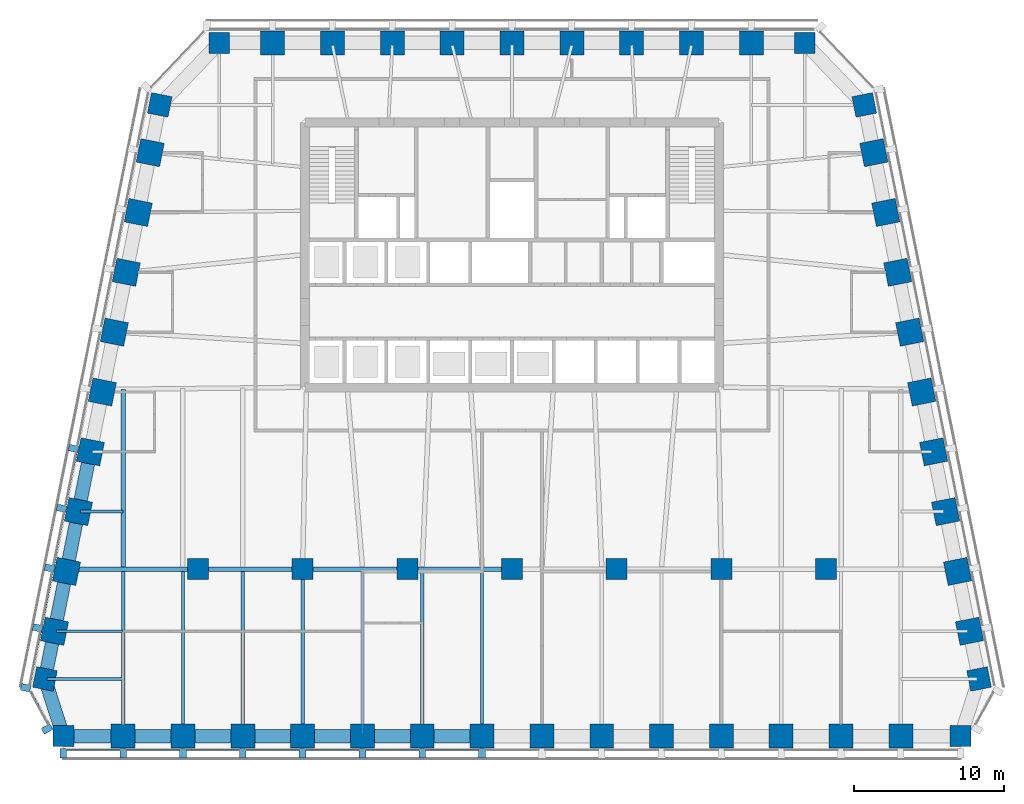
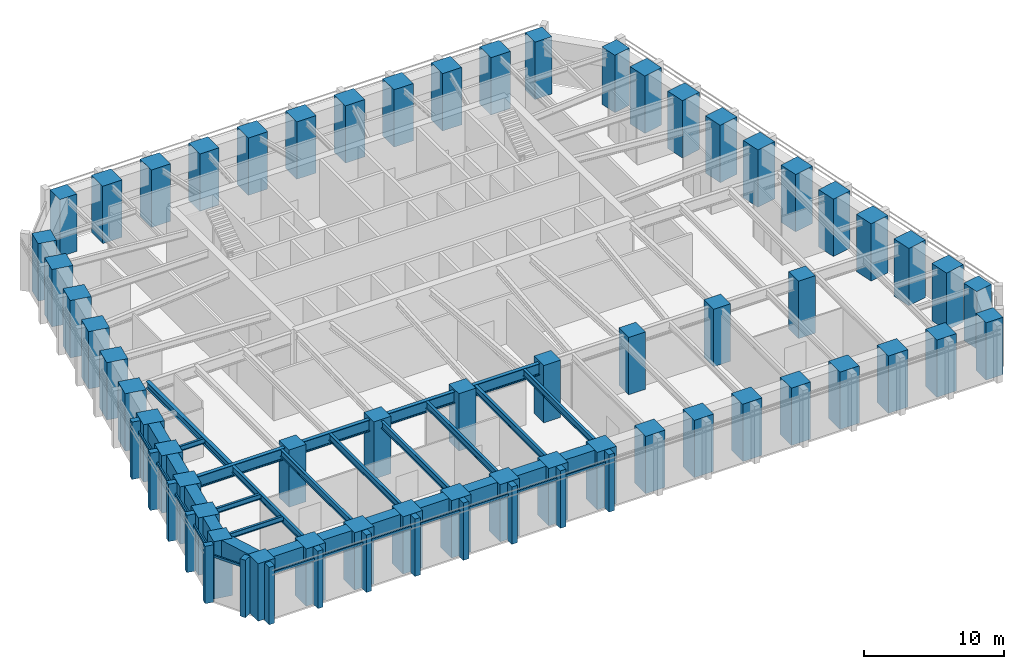
# One storey, part 1 of 11: 56 columns, 27 beams, 26 members, 3 elements without a shape of their own.
"""IFC4 building model written with IfcOpenShell, lengths in metres."""

import ifcopenshell
import ifcopenshell.guid

model = None  # the IFC model being written
_history = None  # IfcOwnerHistory: only IFC2X3 demands one
_inside = {}  # id of a spatial element -> (the spatial element, [elements in it])
_under = {}  # id of a project, library or spatial element -> (it, [spatial elements below it])
_declared = {}  # id of a project -> (the project, [libraries it declares])
_typed = {}  # id of a type object -> (the type object, [elements of that type])
_made_of = {}  # id of a material, layer set ... -> (it, [elements and type objects made of it])


def new_model(schema):
    """Start an empty IFC model of exactly this schema.

    Asked for "IFC4X3", IfcOpenShell would pick the latest addendum, in which some entities
    have other attributes; the version numbers below select the first issue.
    IFC2X3 requires an IfcOwnerHistory on every rooted entity: one is made here for all.
    """
    global model, _history
    if schema == "IFC4X3":
        model = ifcopenshell.file(schema_version=(4, 3, 0, 0))
    else:
        model = ifcopenshell.file(schema=schema)
    _inside.clear()
    _under.clear()
    _declared.clear()
    _typed.clear()
    _made_of.clear()
    _history = None
    if model.schema == "IFC2X3":
        org = make("IfcOrganization", Name="unknown")
        user = make(
            "IfcPersonAndOrganization",
            ThePerson=make("IfcPerson", FamilyName="unknown"),
            TheOrganization=org,
        )
        app = make(
            "IfcApplication",
            ApplicationDeveloper=org,
            Version="unknown",
            ApplicationFullName="unknown",
            ApplicationIdentifier="unknown",
        )
        _history = make(
            "IfcOwnerHistory",
            OwningUser=user,
            OwningApplication=app,
            ChangeAction="ADDED",
            CreationDate=0,
        )
    return model


def make(cls, **values):
    """One entity of the class cls with the attributes given. An attribute that is None is left unset."""
    return model.create_entity(
        cls, **{name: value for name, value in values.items() if value is not None}
    )


def rooted(cls, **values):
    """An entity with a GlobalId (a new one), such as an element, a storey or a relation."""
    return make(cls, GlobalId=ifcopenshell.guid.new(), OwnerHistory=_history, **values)


def si_unit(unit_type, name, prefix=None):
    """IfcSIUnit, for example si_unit("LENGTHUNIT", "METRE", prefix="MILLI")."""
    return make("IfcSIUnit", UnitType=unit_type, Prefix=prefix, Name=name)


def assignment(units):
    """IfcUnitAssignment: the units of a project."""
    return None if units is None else make("IfcUnitAssignment", Units=units)


def point(xyz):
    """IfcCartesianPoint."""
    return None if xyz is None else make("IfcCartesianPoint", Coordinates=xyz)


def direction(xyz):
    """IfcDirection."""
    return None if xyz is None else make("IfcDirection", DirectionRatios=xyz)


def frame(location, z_axis=None, x_axis=None):
    """IfcAxis2Placement3D, a coordinate frame: its origin and axes. An axis left out is left unset."""
    return make(
        "IfcAxis2Placement3D",
        Location=point(location),
        Axis=direction(z_axis),
        RefDirection=direction(x_axis),
    )


def frame_2d(location, x_axis=None):
    """IfcAxis2Placement2D, a coordinate frame in the plane: its origin and x axis."""
    return make(
        "IfcAxis2Placement2D", Location=point(location), RefDirection=direction(x_axis)
    )


def origin():
    """The frame at (0, 0, 0) with its axes left unset."""
    return frame((0.0, 0.0, 0.0))


def origin_2d():
    """The frame at (0, 0) in the plane with its x axis left unset."""
    return frame_2d((0.0, 0.0))


def place(relative_to, where):
    """IfcLocalPlacement: puts the frame where relative to a parent placement (None: the world)."""
    return make(
        "IfcLocalPlacement", PlacementRelTo=relative_to, RelativePlacement=where
    )


def context(
    kind, dimensions, precision=None, world=None, true_north=None, identifier=None
):
    """IfcGeometricRepresentationContext, for example the 3D "Model" context."""
    return make(
        "IfcGeometricRepresentationContext",
        ContextIdentifier=identifier,
        ContextType=kind,
        CoordinateSpaceDimension=dimensions,
        Precision=precision,
        WorldCoordinateSystem=world,
        TrueNorth=true_north,
    )


def subcontext(parent, identifier, kind, view, scale=None):
    """IfcGeometricRepresentationSubContext, for example "Body" below "Model"."""
    return make(
        "IfcGeometricRepresentationSubContext",
        ContextIdentifier=identifier,
        ContextType=kind,
        ParentContext=parent,
        TargetScale=scale,
        TargetView=view,
    )


def project(units=None, contexts=None):
    """IfcProject with its units and contexts."""
    return rooted(
        "IfcProject",
        Name="project",
        RepresentationContexts=contexts,
        UnitsInContext=assignment(units),
    )


def spatial(cls, under=None, at=None, **own):
    """A site, building, storey or space (cls), placed at a placement, below another one or the project."""
    s = rooted(cls, ObjectPlacement=at, **own)
    if under is not None:
        _under.setdefault(under.id(), (under, []))[1].append(s)
    return s


def profile(cls, at=None, kind="AREA", **sizes):
    """A parametric profile (cls). Its sizes go by their IFC names, for example OverallWidth=200.0."""
    return make(cls, ProfileType=kind, Position=at, **sizes)


def rectangle(**sizes):
    """IfcRectangleProfileDef."""
    return profile("IfcRectangleProfileDef", **sizes)


def i_section(**sizes):
    """IfcIShapeProfileDef."""
    return profile("IfcIShapeProfileDef", **sizes)


def extrude(swept, where, along, depth):
    """IfcExtrudedAreaSolid: the profile swept, set in the frame where, extruded along a direction by depth."""
    return make(
        "IfcExtrudedAreaSolid",
        SweptArea=swept,
        Position=where,
        ExtrudedDirection=direction(along),
        Depth=depth,
    )


def shape(context_of_items, identifier, shape_type, items):
    """IfcShapeRepresentation: the items that make up one representation, for example the "Body"."""
    return make(
        "IfcShapeRepresentation",
        ContextOfItems=context_of_items,
        RepresentationIdentifier=identifier,
        RepresentationType=shape_type,
        Items=items,
    )


def material(Name=None, Category=None):
    """IfcMaterial."""
    return make("IfcMaterial", Name=Name, Category=Category)


def material_profile(
    of_material, cross_section, Name=None, Category=None, Priority=None
):
    """IfcMaterialProfile: a cross section and its material."""
    return make(
        "IfcMaterialProfile",
        Name=Name,
        Material=of_material,
        Profile=cross_section,
        Priority=Priority,
        Category=Category,
    )


def profile_set(profiles, Name=None, composite=None):
    """IfcMaterialProfileSet."""
    return make(
        "IfcMaterialProfileSet",
        Name=Name,
        MaterialProfiles=profiles,
        CompositeProfile=composite,
    )


def made_of(thing, what):
    """Note that an element or type object is made of a material, layer set ...; save() writes the relation."""
    if what is not None:
        _made_of.setdefault(what.id(), (what, []))[1].append(thing)
    return thing


def type_object(cls, material=None, **own):
    """A type object (cls), such as IfcWallType, which elements share."""
    return made_of(rooted(cls, **own), material)


def element(
    cls,
    number,
    at=None,
    inside=None,
    cuts=None,
    type_object=None,
    material=None,
    context=None,
    identifier="Body",
    shape_type=None,
    held_by="IfcProductDefinitionShape",
    body=None,
    shapes=None,
    **own,
):
    """One element of the class cls, such as IfcWall. Its Tag is "e" and its number.

    at: its placement. inside: the storey or other place that contains it. cuts: it is an
    opening in that element (IfcRelVoidsElement). A single representation is given by context,
    identifier, shape_type and body (its items); several are given by shapes. held_by: the class
    of the entity that holds the representations. save() writes the other relations.
    """
    e = rooted(cls, Tag="e%d" % number, ObjectPlacement=at, **own)
    if body is not None:
        shapes = [shape(context, identifier, shape_type, body)]
    if shapes is not None:
        e.Representation = make(held_by, Representations=shapes)
    if inside is not None:
        _inside.setdefault(inside.id(), (inside, []))[1].append(e)
    if cuts is not None:
        rooted(
            "IfcRelVoidsElement", RelatingBuildingElement=cuts, RelatedOpeningElement=e
        )
    if type_object is not None:
        _typed.setdefault(type_object.id(), (type_object, []))[1].append(e)
    return made_of(e, material)


def aggregate(whole, parts):
    """IfcRelAggregates: a whole, such as a stair, and the parts it consists of."""
    return rooted("IfcRelAggregates", RelatingObject=whole, RelatedObjects=parts)


def save(model, path):
    """Write the relations noted so far, then the file.

    IfcRelAggregates (storeys below a building ...), IfcRelContainedInSpatialStructure (elements
    in a storey), IfcRelDefinesByType, IfcRelAssociatesMaterial and IfcRelDeclares: one each for
    every whole, place, type object, material and project.
    """
    for whole, parts in _under.values():
        aggregate(whole, parts)
    for where, things in _inside.values():
        rooted(
            "IfcRelContainedInSpatialStructure",
            RelatedElements=things,
            RelatingStructure=where,
        )
    for kind, things in _typed.values():
        rooted("IfcRelDefinesByType", RelatedObjects=things, RelatingType=kind)
    for what, things in _made_of.values():
        rooted("IfcRelAssociatesMaterial", RelatedObjects=things, RelatingMaterial=what)
    for by, libraries in _declared.values():
        rooted("IfcRelDeclares", RelatingContext=by, RelatedDefinitions=libraries)
    model.write(path)


model = new_model("IFC4")

# Units and contexts
model_context = context("Model", 3, precision=1e-05, world=origin(), true_north=direction((0.0, 1.0)))
body_context = subcontext(model_context, "Body", "Model", "MODEL_VIEW")
ifc_project = project(units=[si_unit("LENGTHUNIT", "METRE"), si_unit("AREAUNIT", "SQUARE_METRE"), si_unit("VOLUMEUNIT", "CUBIC_METRE"), si_unit("PLANEANGLEUNIT", "RADIAN"), si_unit("MASSUNIT", "GRAM", prefix="KILO")], contexts=[model_context])

# Site, building, storey
site_placement = place(None, origin())
site = spatial("IfcSite", under=ifc_project, at=site_placement, CompositionType="ELEMENT")
building_placement = place(site_placement, origin())
building = spatial("IfcBuilding", under=site, at=building_placement, Name="Isbrekke Arena Tower", CompositionType="ELEMENT")
storey_placement = place(building_placement, frame((0.0, 0.0, 173.0)))
storey = spatial("IfcBuildingStorey", under=building, at=storey_placement, Name="L39", CompositionType="ELEMENT", Elevation=173.0)

# Columns
ifc_material_1 = material(Name="Concrete B65 (C65/80)", Category="concrete")
ifc_material_profile_1 = material_profile(ifc_material_1, rectangle(XDim=1.39990234375, YDim=1.39990234375, at=origin_2d()), Name="RC 1400x1400")
ifc_profile_set_1 = profile_set([ifc_material_profile_1], Name="Concrete B65 (C65/80)")
column_type_1 = type_object("IfcColumnType", Name="C13 RC 1400 x 1400", PredefinedType="COLUMN", material=ifc_profile_set_1)
for number, where, z_axis, x_axis, name in (
    (1, (-21.0, -6.0, 0.0), (0.0, 0.0, 1.0), (1.0, 0.0, 0.0), "C13 I01"),
    (2, (-14.0, -6.0, 0.0), (0.0, 0.0, 1.0), (1.0, 0.0, 0.0), "C13 I02"),
    (3, (-7.0, -6.0, 0.0), (0.0, 0.0, 1.0), (1.0, 0.0, 0.0), "C13 I03"),
    (4, (0.0, -6.0, 0.0), (0.0, 0.0, 1.0), (1.0, 0.0, 0.0), "C13 I04"),
    (5, (7.0, -6.0, 0.0), (0.0, 0.0, 1.0), (1.0, 0.0, 0.0), "C13 I05"),
    (6, (14.0, -6.0, 0.0), (0.0, 0.0, 1.0), (1.0, 0.0, 0.0), "C13 I06"),
    (7, (21.0, -6.0, 0.0), (0.0, 0.0, 1.0), (1.0, 0.0, 0.0), "C13 I07"),
):
    element("IfcColumn", number, at=place(storey_placement, frame(where, z_axis=z_axis, x_axis=x_axis)), inside=storey, type_object=column_type_1, Name=name, PredefinedType="COLUMN", context=body_context, shape_type="SweptSolid", body=[
        extrude(rectangle(XDim=1.39990234375, YDim=1.39990234375, at=origin_2d()), origin(), (0.0, 0.0, 1.0), 5.0),
    ])
ifc_material_2 = material(Name="Concrete B65 (C65/80)", Category="concrete")
ifc_material_profile_2 = material_profile(ifc_material_2, rectangle(XDim=1.60009765625, YDim=1.60009765625, at=origin_2d()), Name="RC 1600x1600")
ifc_profile_set_2 = profile_set([ifc_material_profile_2], Name="Concrete B65 (C65/80)")
column_type_2 = type_object("IfcColumnType", Name="C4 RC 1600 x 1600", PredefinedType="COLUMN", material=ifc_profile_set_2)
for number, where, z_axis, x_axis, name in (
    (8, (-26.0, -17.175048828125, 0.0), (0.0, 0.0, 1.0), (1.0, 0.0, 0.0), "C4 S02"),
    (9, (-22.0, -17.175048828125, 0.0), (0.0, 0.0, 1.0), (1.0, 0.0, 0.0), "C4 S03"),
    (10, (-18.0, -17.175048828125, 0.0), (0.0, 0.0, 1.0), (1.0, 0.0, 0.0), "C4 S04"),
    (11, (-14.0, -17.175048828125, 0.0), (0.0, 0.0, 1.0), (1.0, 0.0, 0.0), "C4 S05"),
    (12, (-10.0, -17.175048828125, 0.0), (0.0, 0.0, 1.0), (1.0, 0.0, 0.0), "C4 S06"),
    (13, (-6.0, -17.175048828125, 0.0), (0.0, 0.0, 1.0), (1.0, 0.0, 0.0), "C4 S07"),
    (14, (-2.0, -17.175048828125, 0.0), (0.0, 0.0, 1.0), (1.0, 0.0, 0.0), "C4 S08"),
    (15, (2.0, -17.175048828125, 0.0), (0.0, 0.0, 1.0), (1.0, 0.0, 0.0), "C4 S09"),
    (16, (6.0, -17.175048828125, 0.0), (0.0, 0.0, 1.0), (1.0, 0.0, 0.0), "C4 S10"),
    (17, (10.0, -17.175048828125, 0.0), (0.0, 0.0, 1.0), (1.0, 0.0, 0.0), "C4 S11"),
    (18, (14.0, -17.175048828125, 0.0), (0.0, 0.0, 1.0), (1.0, 0.0, 0.0), "C4 S12"),
    (19, (18.0, -17.175048828125, 0.0), (0.0, 0.0, 1.0), (1.0, 0.0, 0.0), "C4 S13"),
    (20, (22.0, -17.175048828125, 0.0), (0.0, 0.0, 1.0), (1.0, 0.0, 0.0), "C4 S14"),
    (21, (26.0, -17.175048828125, 0.0), (0.0, 0.0, 1.0), (1.0, 0.0, 0.0), "C4 S15"),
    (22, (30.591064453125, -10.161865234375, 0.0), (0.0, 0.0, 1.0), (-0.196116135138, 0.980580675691, 0.0), "C4 E02"),
    (23, (29.791015625, -6.161865234375, 0.0), (0.0, 0.0, 1.0), (-0.196116135138, 0.980580675691, 0.0), "C4 E03"),
    (24, (28.990966796875, -2.161865234375, 0.0), (0.0, 0.0, 1.0), (-0.196116135138, 0.980580675691, 0.0), "C4 E04"),
    (25, (28.19091796875, 1.838134765625, 0.0), (0.0, 0.0, 1.0), (-0.196116135138, 0.980580675691, 0.0), "C4 E05"),
    (26, (27.39111328125, 5.838134765625, 0.0), (0.0, 0.0, 1.0), (-0.196116135138, 0.980580675691, 0.0), "C4 E06"),
    (27, (26.591064453125, 9.838134765625, 0.0), (0.0, 0.0, 1.0), (-0.196116135138, 0.980580675691, 0.0), "C4 E07"),
    (28, (25.791015625, 13.838134765625, 0.0), (0.0, 0.0, 1.0), (-0.196116135138, 0.980580675691, 0.0), "C4 E08"),
    (29, (24.990966796875, 17.838134765625, 0.0), (0.0, 0.0, 1.0), (-0.196116135138, 0.980580675691, 0.0), "C4 E09"),
    (30, (24.19091796875, 21.838134765625, 0.0), (0.0, 0.0, 1.0), (-0.196116135138, 0.980580675691, 0.0), "C4 E10"),
    (31, (16.0, 29.175048828125, 0.0), (0.0, 0.0, 1.0), (-1.0, 0.0, 0.0), "C4 N02"),
    (32, (12.0, 29.175048828125, 0.0), (0.0, 0.0, 1.0), (-1.0, 0.0, 0.0), "C4 N03"),
    (33, (8.0, 29.175048828125, 0.0), (0.0, 0.0, 1.0), (-1.0, 0.0, 0.0), "C4 N04"),
    (34, (4.0, 29.175048828125, 0.0), (0.0, 0.0, 1.0), (-1.0, 0.0, 0.0), "C4 N05"),
    (35, (0.0, 29.175048828125, 0.0), (0.0, 0.0, 1.0), (-1.0, 0.0, 0.0), "C4 N06"),
    (36, (-4.0, 29.175048828125, 0.0), (0.0, 0.0, 1.0), (-1.0, 0.0, 0.0), "C4 N07"),
    (37, (-8.0, 29.175048828125, 0.0), (0.0, 0.0, 1.0), (-1.0, 0.0, 0.0), "C4 N08"),
    (38, (-12.0, 29.175048828125, 0.0), (0.0, 0.0, 1.0), (-1.0, 0.0, 0.0), "C4 N09"),
    (39, (-16.0, 29.175048828125, 0.0), (0.0, 0.0, 1.0), (-1.0, 0.0, 0.0), "C4 N10"),
    (40, (-24.19091796875, 21.838134765625, 0.0), (0.0, 0.0, 1.0), (-0.196116135138, -0.980580675691, 0.0), "C4 W02"),
    (41, (-24.990966796875, 17.838134765625, 0.0), (0.0, 0.0, 1.0), (-0.196116135138, -0.980580675691, 0.0), "C4 W03"),
    (42, (-25.791015625, 13.838134765625, 0.0), (0.0, 0.0, 1.0), (-0.196116135138, -0.980580675691, 0.0), "C4 W04"),
    (43, (-26.591064453125, 9.838134765625, 0.0), (0.0, 0.0, 1.0), (-0.196116135138, -0.980580675691, 0.0), "C4 W05"),
    (44, (-27.39111328125, 5.838134765625, 0.0), (0.0, 0.0, 1.0), (-0.196116135138, -0.980580675691, 0.0), "C4 W06"),
    (45, (-28.19091796875, 1.838134765625, 0.0), (0.0, 0.0, 1.0), (-0.196116135138, -0.980580675691, 0.0), "C4 W07"),
    (46, (-28.990966796875, -2.161865234375, 0.0), (0.0, 0.0, 1.0), (-0.196116135138, -0.980580675691, 0.0), "C4 W08"),
    (47, (-29.791015625, -6.161865234375, 0.0), (0.0, 0.0, 1.0), (-0.196116135138, -0.980580675691, 0.0), "C4 W09"),
    (48, (-30.591064453125, -10.161865234375, 0.0), (0.0, 0.0, 1.0), (-0.196116135138, -0.980580675691, 0.0), "C4 W10"),
):
    element("IfcColumn", number, at=place(storey_placement, frame(where, z_axis=z_axis, x_axis=x_axis)), inside=storey, type_object=column_type_2, Name=name, PredefinedType="COLUMN", context=body_context, shape_type="SweptSolid", body=[
        extrude(rectangle(XDim=1.60009765625, YDim=1.60009765625, at=origin_2d()), origin(), (0.0, 0.0, 1.0), 5.0),
    ])
ifc_material_3 = material(Name="Concrete B65 (C65/80)", Category="concrete")
ifc_material_profile_3 = material_profile(ifc_material_3, rectangle(XDim=1.39990234375, YDim=1.39990234375, at=origin_2d()), Name="RC 1400x1400")
ifc_profile_set_3 = profile_set([ifc_material_profile_3], Name="Concrete B65 (C65/80)")
column_type_3 = type_object("IfcColumnType", Name="C8 RC 1400 x 1400", PredefinedType="COLUMN", material=ifc_profile_set_3)
for number, where, z_axis, x_axis, name in (
    (49, (-30.0, -17.175048828125, 0.0), (0.0, 0.0, 1.0), (1.0, 0.0, 0.0), "C8 S01"),
    (50, (30.0, -17.175048828125, 0.0), (0.0, 0.0, 1.0), (1.0, 0.0, 0.0), "C8 S16"),
    (51, (31.229248046875, -13.352783203125, 0.0), (0.0, 0.0, 1.0), (-0.196116135138, 0.980580675691, 0.0), "C8 E01"),
    (52, (23.552734375, 25.029296875, 0.0), (0.0, 0.0, 1.0), (-0.196116135138, 0.980580675691, 0.0), "C8 E11"),
    (53, (19.574951171875, 29.175048828125, 0.0), (0.0, 0.0, 1.0), (-1.0, 0.0, 0.0), "C8 N01"),
    (54, (-19.574951171875, 29.175048828125, 0.0), (0.0, 0.0, 1.0), (-1.0, 0.0, 0.0), "C8 N11"),
    (55, (-23.552734375, 25.029296875, 0.0), (0.0, 0.0, 1.0), (-0.196116135138, -0.980580675691, 0.0), "C8 W01"),
    (56, (-31.229248046875, -13.352783203125, 0.0), (0.0, 0.0, 1.0), (-0.196116135138, -0.980580675691, 0.0), "C8 W11"),
):
    element("IfcColumn", number, at=place(storey_placement, frame(where, z_axis=z_axis, x_axis=x_axis)), inside=storey, type_object=column_type_3, Name=name, PredefinedType="COLUMN", context=body_context, shape_type="SweptSolid", body=[
        extrude(rectangle(XDim=1.39990234375, YDim=1.39990234375, at=origin_2d()), origin(), (0.0, 0.0, 1.0), 5.0),
    ])

# Beams
ifc_material_4 = material(Name="Steel S355", Category="steel")
ifc_material_profile_4 = material_profile(ifc_material_4, i_section(OverallWidth=0.219970703125, OverallDepth=0.60009765625, WebThickness=0.011962890625, FlangeThickness=0.01904296875, FilletRadius=0.02392578125, at=origin_2d()), Name="IPE 600")
ifc_profile_set_4 = profile_set([ifc_material_profile_4], Name="Steel S355")
beam_type_1 = type_object("IfcBeamType", Name="B1 IPE 600", PredefinedType="BEAM", material=ifc_profile_set_4)
for number, where, z_axis, x_axis, name in (
    (57, (-26.0, -17.02490234375, 4.550048828125), (0.0, 1.0, 0.0), (-1.0, 0.0, 0.0), "B1 beam S-S02 L39"),
    (58, (-22.0, -17.02490234375, 4.550048828125), (0.0, 1.0, 0.0), (-1.0, 0.0, 0.0), "B1 beam S-S03 L39"),
    (59, (-18.0, -17.02490234375, 4.550048828125), (0.0, 1.0, 0.0), (-1.0, 0.0, 0.0), "B1 beam S-S04 L39"),
):
    element("IfcBeam", number, at=place(storey_placement, frame(where, z_axis=z_axis, x_axis=x_axis)), inside=storey, type_object=beam_type_1, Name=name, PredefinedType="BEAM", context=body_context, shape_type="SweptSolid", body=[
        extrude(i_section(OverallWidth=0.219970703125, OverallDepth=0.60009765625, WebThickness=0.011962890625, FlangeThickness=0.01904296875, FilletRadius=0.02392578125, at=origin_2d()), origin(), (0.0, 0.0, 1.0), 10.8740234375),
    ])
beam_1_placement = place(storey_placement, frame((-14.0, -17.02490234375, 4.550048828125), z_axis=(0.0, 1.0, 0.0), x_axis=(-1.0, 0.0, 0.0)))
element("IfcBeam", 60, at=beam_1_placement, inside=storey, type_object=beam_type_1, Name="B1 beam S-S05 L39", PredefinedType="BEAM", context=body_context, shape_type="SweptSolid", body=[
    extrude(i_section(OverallWidth=0.219970703125, OverallDepth=0.60009765625, WebThickness=0.011962890625, FlangeThickness=0.01904296875, FilletRadius=0.02392578125, at=origin_2d()), origin(), (0.0, 0.0, 1.0), 10.875),
])
for number, where, z_axis, x_axis, name in (
    (61, (-10.0, -17.02490234375, 4.550048828125), (0.0, 1.0, 0.0), (-1.0, 0.0, 0.0), "B1 beam S-S06 L39"),
    (62, (-6.0, -17.02490234375, 4.550048828125), (0.0, 1.0, 0.0), (-1.0, 0.0, 0.0), "B1 beam S-S07 L39"),
    (63, (-2.0, -17.02490234375, 4.550048828125), (0.0, 1.0, 0.0), (-1.0, 0.0, 0.0), "B1 beam S-S08 L39"),
):
    element("IfcBeam", number, at=place(storey_placement, frame(where, z_axis=z_axis, x_axis=x_axis)), inside=storey, type_object=beam_type_1, Name=name, PredefinedType="BEAM", context=body_context, shape_type="SweptSolid", body=[
        extrude(i_section(OverallWidth=0.219970703125, OverallDepth=0.60009765625, WebThickness=0.011962890625, FlangeThickness=0.01904296875, FilletRadius=0.02392578125, at=origin_2d()), origin(), (0.0, 0.0, 1.0), 10.8740234375),
    ])
ifc_material_5 = material(Name="Steel S355", Category="steel")
ifc_material_profile_5 = material_profile(ifc_material_5, i_section(OverallWidth=0.18994140625, OverallDepth=0.449951171875, WebThickness=0.009521484375, FlangeThickness=0.0146484375, FilletRadius=0.02099609375, at=origin_2d()), Name="IPE 450")
ifc_profile_set_5 = profile_set([ifc_material_profile_5], Name="Steel S355")
beam_type_2 = type_object("IfcBeamType", Name="B2 IPE 450", PredefinedType="BEAM", material=ifc_profile_set_5)
beam_2_placement = place(storey_placement, frame((-28.841064453125, -2.161865234375, 4.625), z_axis=(1.0, 0.0, 0.0), x_axis=(0.0, 1.0, 0.0)))
element("IfcBeam", 64, at=beam_2_placement, inside=storey, type_object=beam_type_2, Name="B2 beam E-W08 L39", PredefinedType="BEAM", context=body_context, shape_type="SweptSolid", body=[
    extrude(i_section(OverallWidth=0.18994140625, OverallDepth=0.449951171875, WebThickness=0.009521484375, FlangeThickness=0.0146484375, FilletRadius=0.02099609375, at=origin_2d()), origin(), (0.0, 0.0, 1.0), 2.841064453125),
])
beam_3_placement = place(storey_placement, frame((-30.44091796875, -10.161865234375, 4.625), z_axis=(1.0, 0.0, 0.0), x_axis=(0.0, 1.0, 0.0)))
element("IfcBeam", 65, at=beam_3_placement, inside=storey, type_object=beam_type_2, Name="B2 beam E-W10 L39", PredefinedType="BEAM", context=body_context, shape_type="SweptSolid", body=[
    extrude(i_section(OverallWidth=0.18994140625, OverallDepth=0.449951171875, WebThickness=0.009521484375, FlangeThickness=0.0146484375, FilletRadius=0.02099609375, at=origin_2d()), origin(), (0.0, 0.0, 1.0), 4.44091796875),
])
beam_4_placement = place(storey_placement, frame((-31.079345703125, -13.352783203125, 4.625), z_axis=(1.0, 0.0, 0.0), x_axis=(0.0, 1.0, 0.0)))
element("IfcBeam", 66, at=beam_4_placement, inside=storey, type_object=beam_type_2, Name="B2 beam E-W11 L39", PredefinedType="BEAM", context=body_context, shape_type="SweptSolid", body=[
    extrude(i_section(OverallWidth=0.18994140625, OverallDepth=0.449951171875, WebThickness=0.009521484375, FlangeThickness=0.0146484375, FilletRadius=0.02099609375, at=origin_2d()), origin(), (0.0, 0.0, 1.0), 5.079345703125),
])
ifc_material_6 = material(Name="Steel S355", Category="steel")
ifc_material_profile_6 = material_profile(ifc_material_6, i_section(OverallWidth=0.300048828125, OverallDepth=0.60009765625, WebThickness=0.015380859375, FlangeThickness=0.030029296875, FilletRadius=0.027099609375, at=origin_2d()), Name="HEB 600")
ifc_profile_set_6 = profile_set([ifc_material_profile_6], Name="Steel S355")
beam_type_3 = type_object("IfcBeamType", Name="B7 HEB 600", PredefinedType="BEAM", material=ifc_profile_set_6)
beam_5_placement = place(storey_placement, frame((-26.0, -5.84912109375, 4.550048828125), z_axis=(0.0, 1.0, 0.0), x_axis=(-1.0, 0.0, 0.0)))
element("IfcBeam", 67, at=beam_5_placement, inside=storey, type_object=beam_type_3, Name="B7 beam C-M01 L39", PredefinedType="BEAM", context=body_context, shape_type="SweptSolid", body=[
    extrude(i_section(OverallWidth=0.300048828125, OverallDepth=0.60009765625, WebThickness=0.015380859375, FlangeThickness=0.030029296875, FilletRadius=0.027099609375, at=origin_2d()), origin(), (0.0, 0.0, 1.0), 11.864990234375),
])

# Curtain wall, members
ifc_material_7 = material(Name="Glazed aluminium curtain wall", Category="aluminium")
curtain_wall_type = type_object("IfcCurtainWallType", Name="CWS SKY LOBBY CURTAIN WALL", PredefinedType="USERDEFINED", material=ifc_material_7)
curtain_wall_1_placement = place(storey_placement, origin())
curtain_wall_1 = element("IfcCurtainWall", 68, at=curtain_wall_1_placement, inside=storey, type_object=curtain_wall_type, Name="CWS curtain wall L39-S", ObjectType="SKY LOBBY CURTAIN WALL", PredefinedType="USERDEFINED")
ifc_material_8 = material(Name="Aluminium mullion, pale brick slip cladding", Category="masonry")
ifc_material_profile_7 = material_profile(ifc_material_8, rectangle(XDim=0.449951171875, YDim=0.64990234375, at=origin_2d()), Name="PIER 450X650")
ifc_profile_set_7 = profile_set([ifc_material_profile_7], Name="Aluminium mullion, pale brick slip cladding")
member_type_1 = type_object("IfcMemberType", Name="CWS-M PIER MULLION 450 x 650", PredefinedType="MULLION", material=ifc_profile_set_7)
member_1_placement = place(storey_placement, frame((-30.0, -18.324951171875, 0.0), z_axis=(0.0, 0.0, 1.0), x_axis=(1.0, 0.0, 0.0)))
member_1 = element("IfcMember", 69, at=member_1_placement, type_object=member_type_1, Name="CWS-M mullion 1", PredefinedType="MULLION", context=body_context, shape_type="SweptSolid", body=[
    extrude(rectangle(XDim=0.449951171875, YDim=0.64990234375, at=origin_2d()), origin(), (0.0, 0.0, 1.0), 5.0),
])
member_2_placement = place(storey_placement, frame((-26.0, -18.324951171875, 0.0), z_axis=(0.0, 0.0, 1.0), x_axis=(1.0, 0.0, 0.0)))
member_2 = element("IfcMember", 70, at=member_2_placement, type_object=member_type_1, Name="CWS-M mullion 2", PredefinedType="MULLION", context=body_context, shape_type="SweptSolid", body=[
    extrude(rectangle(XDim=0.449951171875, YDim=0.64990234375, at=origin_2d()), origin(), (0.0, 0.0, 1.0), 5.0),
])
member_3_placement = place(storey_placement, frame((-22.0, -18.324951171875, 0.0), z_axis=(0.0, 0.0, 1.0), x_axis=(1.0, 0.0, 0.0)))
member_3 = element("IfcMember", 71, at=member_3_placement, type_object=member_type_1, Name="CWS-M mullion 3", PredefinedType="MULLION", context=body_context, shape_type="SweptSolid", body=[
    extrude(rectangle(XDim=0.449951171875, YDim=0.64990234375, at=origin_2d()), origin(), (0.0, 0.0, 1.0), 5.0),
])
member_4_placement = place(storey_placement, frame((-18.0, -18.324951171875, 0.0), z_axis=(0.0, 0.0, 1.0), x_axis=(1.0, 0.0, 0.0)))
member_4 = element("IfcMember", 72, at=member_4_placement, type_object=member_type_1, Name="CWS-M mullion 4", PredefinedType="MULLION", context=body_context, shape_type="SweptSolid", body=[
    extrude(rectangle(XDim=0.449951171875, YDim=0.64990234375, at=origin_2d()), origin(), (0.0, 0.0, 1.0), 5.0),
])
member_5_placement = place(storey_placement, frame((-14.0, -18.324951171875, 0.0), z_axis=(0.0, 0.0, 1.0), x_axis=(1.0, 0.0, 0.0)))
member_5 = element("IfcMember", 73, at=member_5_placement, type_object=member_type_1, Name="CWS-M mullion 5", PredefinedType="MULLION", context=body_context, shape_type="SweptSolid", body=[
    extrude(rectangle(XDim=0.449951171875, YDim=0.64990234375, at=origin_2d()), origin(), (0.0, 0.0, 1.0), 5.0),
])
member_6_placement = place(storey_placement, frame((-10.0, -18.324951171875, 0.0), z_axis=(0.0, 0.0, 1.0), x_axis=(1.0, 0.0, 0.0)))
member_6 = element("IfcMember", 74, at=member_6_placement, type_object=member_type_1, Name="CWS-M mullion 6", PredefinedType="MULLION", context=body_context, shape_type="SweptSolid", body=[
    extrude(rectangle(XDim=0.449951171875, YDim=0.64990234375, at=origin_2d()), origin(), (0.0, 0.0, 1.0), 5.0),
])
member_7_placement = place(storey_placement, frame((-6.0, -18.324951171875, 0.0), z_axis=(0.0, 0.0, 1.0), x_axis=(1.0, 0.0, 0.0)))
member_7 = element("IfcMember", 75, at=member_7_placement, type_object=member_type_1, Name="CWS-M mullion 7", PredefinedType="MULLION", context=body_context, shape_type="SweptSolid", body=[
    extrude(rectangle(XDim=0.449951171875, YDim=0.64990234375, at=origin_2d()), origin(), (0.0, 0.0, 1.0), 5.0),
])
member_8_placement = place(storey_placement, frame((-2.0, -18.324951171875, 0.0), z_axis=(0.0, 0.0, 1.0), x_axis=(1.0, 0.0, 0.0)))
member_8 = element("IfcMember", 76, at=member_8_placement, type_object=member_type_1, Name="CWS-M mullion 8", PredefinedType="MULLION", context=body_context, shape_type="SweptSolid", body=[
    extrude(rectangle(XDim=0.449951171875, YDim=0.64990234375, at=origin_2d()), origin(), (0.0, 0.0, 1.0), 5.0),
])

curtain_wall_2_placement = place(storey_placement, origin())
curtain_wall_2 = element("IfcCurtainWall", 77, at=curtain_wall_2_placement, inside=storey, type_object=curtain_wall_type, Name="CWS curtain wall L39-W", ObjectType="SKY LOBBY CURTAIN WALL", PredefinedType="USERDEFINED")
member_9_placement = place(storey_placement, frame((-29.318603515625, 2.063720703125, 0.0), z_axis=(0.0, 0.0, 1.0), x_axis=(-0.196116135138, -0.980580675691, 0.0)))
member_9 = element("IfcMember", 78, at=member_9_placement, type_object=member_type_1, Name="CWS-M mullion 6", PredefinedType="MULLION", context=body_context, shape_type="SweptSolid", body=[
    extrude(rectangle(XDim=0.449951171875, YDim=0.64990234375, at=origin_2d()), origin(), (0.0, 0.0, 1.0), 5.0),
])
member_10_placement = place(storey_placement, frame((-30.11865234375, -1.936279296875, 0.0), z_axis=(0.0, 0.0, 1.0), x_axis=(-0.196116135138, -0.980580675691, 0.0)))
member_10 = element("IfcMember", 79, at=member_10_placement, type_object=member_type_1, Name="CWS-M mullion 7", PredefinedType="MULLION", context=body_context, shape_type="SweptSolid", body=[
    extrude(rectangle(XDim=0.449951171875, YDim=0.64990234375, at=origin_2d()), origin(), (0.0, 0.0, 1.0), 5.0),
])
member_11_placement = place(storey_placement, frame((-30.918701171875, -5.936279296875, 0.0), z_axis=(0.0, 0.0, 1.0), x_axis=(-0.196116135138, -0.980580675691, 0.0)))
member_11 = element("IfcMember", 80, at=member_11_placement, type_object=member_type_1, Name="CWS-M mullion 8", PredefinedType="MULLION", context=body_context, shape_type="SweptSolid", body=[
    extrude(rectangle(XDim=0.449951171875, YDim=0.64990234375, at=origin_2d()), origin(), (0.0, 0.0, 1.0), 5.0),
])
member_12_placement = place(storey_placement, frame((-31.71875, -9.936279296875, 0.0), z_axis=(0.0, 0.0, 1.0), x_axis=(-0.196116135138, -0.980580675691, 0.0)))
member_12 = element("IfcMember", 81, at=member_12_placement, type_object=member_type_1, Name="CWS-M mullion 9", PredefinedType="MULLION", context=body_context, shape_type="SweptSolid", body=[
    extrude(rectangle(XDim=0.449951171875, YDim=0.64990234375, at=origin_2d()), origin(), (0.0, 0.0, 1.0), 5.0),
])
member_13_placement = place(storey_placement, frame((-32.518798828125, -13.936279296875, 0.0), z_axis=(0.0, 0.0, 1.0), x_axis=(-0.196116135138, -0.980580675691, 0.0)))
member_13 = element("IfcMember", 82, at=member_13_placement, type_object=member_type_1, Name="CWS-M mullion 10", PredefinedType="MULLION", context=body_context, shape_type="SweptSolid", body=[
    extrude(rectangle(XDim=0.449951171875, YDim=0.64990234375, at=origin_2d()), origin(), (0.0, 0.0, 1.0), 5.0),
])

# Curtain wall, member
curtain_wall_3_placement = place(storey_placement, origin())
curtain_wall_3 = element("IfcCurtainWall", 83, at=curtain_wall_3_placement, inside=storey, type_object=curtain_wall_type, Name="CWS curtain wall L39-WS", ObjectType="SKY LOBBY CURTAIN WALL", PredefinedType="USERDEFINED")
member_14_placement = place(storey_placement, frame((-31.09033203125, -16.692138671875, 0.0), z_axis=(0.0, 0.0, 1.0), x_axis=(0.481918749773, -0.876215908676, 0.0)))
member_14 = element("IfcMember", 84, at=member_14_placement, type_object=member_type_1, Name="CWS-M mullion 1", PredefinedType="MULLION", context=body_context, shape_type="SweptSolid", body=[
    extrude(rectangle(XDim=0.449951171875, YDim=0.64990234375, at=origin_2d()), origin(), (0.0, 0.0, 1.0), 5.0),
])

# Member
ifc_material_9 = material(Name="Aluminium transom", Category="aluminium")
ifc_material_profile_8 = material_profile(ifc_material_9, rectangle(XDim=0.1201171875, YDim=0.199951171875, at=origin_2d()), Name="TRANSOM 120X200")
ifc_profile_set_8 = profile_set([ifc_material_profile_8], Name="Aluminium transom")
member_type_2 = type_object("IfcMemberType", Name="CWS-T TRANSOM 120 x 200", PredefinedType="USERDEFINED", material=ifc_profile_set_8)
member_15_placement = place(storey_placement, frame((-29.77490234375, -18.10009765625, 4.0), z_axis=(1.0, 0.0, 0.0), x_axis=(0.0, 1.0, 0.0)))
member_15 = element("IfcMember", 85, at=member_15_placement, type_object=member_type_2, Name="CWS-T transom 1", ObjectType="TRANSOM", PredefinedType="USERDEFINED", context=body_context, shape_type="SweptSolid", body=[
    extrude(rectangle(XDim=0.1201171875, YDim=0.199951171875, at=origin_2d()), origin(), (0.0, 0.0, 1.0), 3.5498046875),
])

member_16_placement = place(storey_placement, frame((-25.77490234375, -18.10009765625, 4.0), z_axis=(1.0, 0.0, 0.0), x_axis=(0.0, 1.0, 0.0)))
member_16 = element("IfcMember", 86, at=member_16_placement, type_object=member_type_2, Name="CWS-T transom 2", ObjectType="TRANSOM", PredefinedType="USERDEFINED", context=body_context, shape_type="SweptSolid", body=[
    extrude(rectangle(XDim=0.1201171875, YDim=0.199951171875, at=origin_2d()), origin(), (0.0, 0.0, 1.0), 3.5498046875),
])

member_17_placement = place(storey_placement, frame((-21.77490234375, -18.10009765625, 4.0), z_axis=(1.0, 0.0, 0.0), x_axis=(0.0, 1.0, 0.0)))
member_17 = element("IfcMember", 87, at=member_17_placement, type_object=member_type_2, Name="CWS-T transom 3", ObjectType="TRANSOM", PredefinedType="USERDEFINED", context=body_context, shape_type="SweptSolid", body=[
    extrude(rectangle(XDim=0.1201171875, YDim=0.199951171875, at=origin_2d()), origin(), (0.0, 0.0, 1.0), 3.5498046875),
])

member_18_placement = place(storey_placement, frame((-17.77490234375, -18.10009765625, 4.0), z_axis=(1.0, 0.0, 0.0), x_axis=(0.0, 1.0, 0.0)))
member_18 = element("IfcMember", 88, at=member_18_placement, type_object=member_type_2, Name="CWS-T transom 4", ObjectType="TRANSOM", PredefinedType="USERDEFINED", context=body_context, shape_type="SweptSolid", body=[
    extrude(rectangle(XDim=0.1201171875, YDim=0.199951171875, at=origin_2d()), origin(), (0.0, 0.0, 1.0), 3.5498046875),
])

member_19_placement = place(storey_placement, frame((-13.77490234375, -18.10009765625, 4.0), z_axis=(1.0, 0.0, 0.0), x_axis=(0.0, 1.0, 0.0)))
member_19 = element("IfcMember", 89, at=member_19_placement, type_object=member_type_2, Name="CWS-T transom 5", ObjectType="TRANSOM", PredefinedType="USERDEFINED", context=body_context, shape_type="SweptSolid", body=[
    extrude(rectangle(XDim=0.1201171875, YDim=0.199951171875, at=origin_2d()), origin(), (0.0, 0.0, 1.0), 3.5498046875),
])

member_20_placement = place(storey_placement, frame((-9.77490234375, -18.10009765625, 4.0), z_axis=(1.0, 0.0, 0.0), x_axis=(0.0, 1.0, 0.0)))
member_20 = element("IfcMember", 90, at=member_20_placement, type_object=member_type_2, Name="CWS-T transom 6", ObjectType="TRANSOM", PredefinedType="USERDEFINED", context=body_context, shape_type="SweptSolid", body=[
    extrude(rectangle(XDim=0.1201171875, YDim=0.199951171875, at=origin_2d()), origin(), (0.0, 0.0, 1.0), 3.5498046875),
])

member_21_placement = place(storey_placement, frame((-5.77490234375, -18.10009765625, 4.0), z_axis=(1.0, 0.0, 0.0), x_axis=(0.0, 1.0, 0.0)))
member_21 = element("IfcMember", 91, at=member_21_placement, type_object=member_type_2, Name="CWS-T transom 7", ObjectType="TRANSOM", PredefinedType="USERDEFINED", context=body_context, shape_type="SweptSolid", body=[
    extrude(rectangle(XDim=0.1201171875, YDim=0.199951171875, at=origin_2d()), origin(), (0.0, 0.0, 1.0), 3.5498046875),
])

aggregate(curtain_wall_1, [member_1, member_2, member_3, member_4, member_5, member_6, member_7, member_8, member_15, member_16, member_17, member_18, member_19, member_20, member_21])

member_22_placement = place(storey_placement, frame((-29.14208984375, 1.799072265625, 4.0), z_axis=(-0.196154943734, -0.980572913173, 0.0), x_axis=(0.980572913173, -0.196154943734, 0.0)))
member_22 = element("IfcMember", 92, at=member_22_placement, type_object=member_type_2, Name="CWS-T transom 7", ObjectType="TRANSOM", PredefinedType="USERDEFINED", context=body_context, shape_type="SweptSolid", body=[
    extrude(rectangle(XDim=0.1201171875, YDim=0.199951171875, at=origin_2d()), origin(), (0.0, 0.0, 1.0), 3.62939453125),
])

member_23_placement = place(storey_placement, frame((-29.942138671875, -2.200927734375, 4.0), z_axis=(-0.196154943734, -0.980572913173, 0.0), x_axis=(0.980572913173, -0.196154943734, 0.0)))
member_23 = element("IfcMember", 93, at=member_23_placement, type_object=member_type_2, Name="CWS-T transom 8", ObjectType="TRANSOM", PredefinedType="USERDEFINED", context=body_context, shape_type="SweptSolid", body=[
    extrude(rectangle(XDim=0.1201171875, YDim=0.199951171875, at=origin_2d()), origin(), (0.0, 0.0, 1.0), 3.62939453125),
])

member_24_placement = place(storey_placement, frame((-30.7421875, -6.200927734375, 4.0), z_axis=(-0.196090262229, -0.980585849918, 0.0), x_axis=(0.980585849918, -0.196090262229, 0.0)))
member_24 = element("IfcMember", 94, at=member_24_placement, type_object=member_type_2, Name="CWS-T transom 9", ObjectType="TRANSOM", PredefinedType="USERDEFINED", context=body_context, shape_type="SweptSolid", body=[
    extrude(rectangle(XDim=0.1201171875, YDim=0.199951171875, at=origin_2d()), origin(), (0.0, 0.0, 1.0), 3.62939453125),
])

member_25_placement = place(storey_placement, frame((-31.542236328125, -10.200927734375, 4.0), z_axis=(-0.196090262229, -0.980585849918, 0.0), x_axis=(0.980585849918, -0.196090262229, 0.0)))
member_25 = element("IfcMember", 95, at=member_25_placement, type_object=member_type_2, Name="CWS-T transom 10", ObjectType="TRANSOM", PredefinedType="USERDEFINED", context=body_context, shape_type="SweptSolid", body=[
    extrude(rectangle(XDim=0.1201171875, YDim=0.199951171875, at=origin_2d()), origin(), (0.0, 0.0, 1.0), 3.62939453125),
])

aggregate(curtain_wall_2, [member_9, member_10, member_11, member_12, member_13, member_22, member_23, member_24, member_25])

member_26_placement = place(storey_placement, frame((-32.17919921875, -14.245361328125, 4.0), z_axis=(0.481957101782, -0.876194813978, 0.0), x_axis=(0.876194813978, 0.481957101782, 0.0)))
member_26 = element("IfcMember", 96, at=member_26_placement, type_object=member_type_2, Name="CWS-T transom 1", ObjectType="TRANSOM", PredefinedType="USERDEFINED", context=body_context, shape_type="SweptSolid", body=[
    extrude(rectangle(XDim=0.1201171875, YDim=0.199951171875, at=origin_2d()), origin(), (0.0, 0.0, 1.0), 2.443603515625),
])

aggregate(curtain_wall_3, [member_14, member_26])

# Beams
ifc_material_10 = material(Name="Steel S355", Category="steel")
ifc_material_profile_9 = material_profile(ifc_material_10, i_section(OverallWidth=0.302001953125, OverallDepth=1.008056640625, WebThickness=0.02099609375, FlangeThickness=0.0400390625, FilletRadius=0.030029296875, at=origin_2d()), Name="HEM 1000")
ifc_profile_set_9 = profile_set([ifc_material_profile_9], Name="Steel S355")
beam_type_4 = type_object("IfcBeamType", Name="G1 HEM 1000", PredefinedType="BEAM", material=ifc_profile_set_9)
beam_6_placement = place(storey_placement, frame((-29.791015625, -6.0, 4.345947265625), z_axis=(1.0, 0.0, 0.0), x_axis=(0.0, 1.0, 0.0)))
element("IfcBeam", 97, at=beam_6_placement, inside=storey, type_object=beam_type_4, Name="G1 beam G1-01 L39", PredefinedType="BEAM", context=body_context, shape_type="SweptSolid", body=[
    extrude(i_section(OverallWidth=0.302001953125, OverallDepth=1.008056640625, WebThickness=0.02099609375, FlangeThickness=0.0400390625, FilletRadius=0.030029296875, at=origin_2d()), origin(), (0.0, 0.0, 1.0), 8.64111328125),
])
for number, where, z_axis, x_axis, name in (
    (98, (-20.85009765625, -6.0, 4.345947265625), (1.0, 0.0, 0.0), (0.0, 1.0, 0.0), "G1 beam G1-02 L39"),
    (99, (-13.85009765625, -6.0, 4.345947265625), (1.0, 0.0, 0.0), (0.0, 1.0, 0.0), "G1 beam G1-03 L39"),
    (100, (-6.85009765625, -6.0, 4.345947265625), (1.0, 0.0, 0.0), (0.0, 1.0, 0.0), "G1 beam G1-04 L39"),
):
    element("IfcBeam", number, at=place(storey_placement, frame(where, z_axis=z_axis, x_axis=x_axis)), inside=storey, type_object=beam_type_4, Name=name, PredefinedType="BEAM", context=body_context, shape_type="SweptSolid", body=[
        extrude(i_section(OverallWidth=0.302001953125, OverallDepth=1.008056640625, WebThickness=0.02099609375, FlangeThickness=0.0400390625, FilletRadius=0.030029296875, at=origin_2d()), origin(), (0.0, 0.0, 1.0), 6.7001953125),
    ])
ifc_material_11 = material(Name="Concrete B65 (C65/80)", Category="concrete")
ifc_material_profile_10 = material_profile(ifc_material_11, rectangle(XDim=0.89990234375, YDim=1.5, at=origin_2d()), Name="RC 900x1500")
ifc_profile_set_10 = profile_set([ifc_material_profile_10], Name="Concrete B65 (C65/80)")
beam_type_5 = type_object("IfcBeamType", Name="SB3 RC 900 x 1500", PredefinedType="SPANDREL", material=ifc_profile_set_10)
for number, where, z_axis, x_axis, name in (
    (101, (-29.85009765625, -17.175048828125, 4.25), (1.0, 0.0, 0.0), (0.0, 1.0, 0.0), "SB3 spandrel S01-S02 L39"),
    (102, (-25.85009765625, -17.175048828125, 4.25), (1.0, 0.0, 0.0), (0.0, 1.0, 0.0), "SB3 spandrel S02-S03 L39"),
    (103, (-21.85009765625, -17.175048828125, 4.25), (1.0, 0.0, 0.0), (0.0, 1.0, 0.0), "SB3 spandrel S03-S04 L39"),
    (104, (-17.85009765625, -17.175048828125, 4.25), (1.0, 0.0, 0.0), (0.0, 1.0, 0.0), "SB3 spandrel S04-S05 L39"),
    (105, (-13.85009765625, -17.175048828125, 4.25), (1.0, 0.0, 0.0), (0.0, 1.0, 0.0), "SB3 spandrel S05-S06 L39"),
    (106, (-9.85009765625, -17.175048828125, 4.25), (1.0, 0.0, 0.0), (0.0, 1.0, 0.0), "SB3 spandrel S06-S07 L39"),
    (107, (-5.85009765625, -17.175048828125, 4.25), (1.0, 0.0, 0.0), (0.0, 1.0, 0.0), "SB3 spandrel S07-S08 L39"),
):
    element("IfcBeam", number, at=place(storey_placement, frame(where, z_axis=z_axis, x_axis=x_axis)), inside=storey, type_object=beam_type_5, Name=name, PredefinedType="SPANDREL", context=body_context, shape_type="SweptSolid", body=[
        extrude(rectangle(XDim=0.89990234375, YDim=1.5, at=origin_2d()), origin(), (0.0, 0.0, 1.0), 3.7001953125),
    ])
for number, where, z_axis, x_axis, name in (
    (108, (-28.220458984375, 1.691162109375, 4.25), (-0.196128558387, -0.980578190959, 0.0), (0.980578190959, -0.196128558387, 0.0), "SB3 spandrel W07-W08 L39"),
    (109, (-29.0205078125, -2.308837890625, 4.25), (-0.196128558387, -0.980578190959, 0.0), (0.980578190959, -0.196128558387, 0.0), "SB3 spandrel W08-W09 L39"),
):
    element("IfcBeam", number, at=place(storey_placement, frame(where, z_axis=z_axis, x_axis=x_axis)), inside=storey, type_object=beam_type_5, Name=name, PredefinedType="SPANDREL", context=body_context, shape_type="SweptSolid", body=[
        extrude(rectangle(XDim=0.89990234375, YDim=1.5, at=origin_2d()), origin(), (0.0, 0.0, 1.0), 3.779296875),
    ])
beam_7_placement = place(storey_placement, frame((-29.820556640625, -6.308837890625, 4.25), z_axis=(-0.1960664412, -0.980590613169, 0.0), x_axis=(0.980590613169, -0.1960664412, 0.0)))
element("IfcBeam", 110, at=beam_7_placement, inside=storey, type_object=beam_type_5, Name="SB3 spandrel W09-W10 L39", PredefinedType="SPANDREL", context=body_context, shape_type="SweptSolid", body=[
    extrude(rectangle(XDim=0.89990234375, YDim=1.5, at=origin_2d()), origin(), (0.0, 0.0, 1.0), 3.779052734375),
])
beam_8_placement = place(storey_placement, frame((-30.620361328125, -10.308837890625, 4.25), z_axis=(-0.196100243168, -0.980583853951, 0.0), x_axis=(0.980583853951, -0.196100243168, 0.0)))
element("IfcBeam", 111, at=beam_8_placement, inside=storey, type_object=beam_type_5, Name="SB3 spandrel W10-W11 L39", PredefinedType="SPANDREL", context=body_context, shape_type="SweptSolid", body=[
    extrude(rectangle(XDim=0.89990234375, YDim=1.5, at=origin_2d()), origin(), (0.0, 0.0, 1.0), 2.954345703125),
])
beam_9_placement = place(storey_placement, frame((-31.183349609375, -13.49560546875, 4.25), z_axis=(0.306175101476, -0.951975213562, 0.0), x_axis=(0.951975213562, 0.306175101476, 0.0)))
element("IfcBeam", 112, at=beam_9_placement, inside=storey, type_object=beam_type_5, Name="SB3 spandrel W11-S01 L39", PredefinedType="SPANDREL", context=body_context, shape_type="SweptSolid", body=[
    extrude(rectangle(XDim=0.89990234375, YDim=1.5, at=origin_2d()), origin(), (0.0, 0.0, 1.0), 3.715087890625),
])

save(model, "model.ifc")
